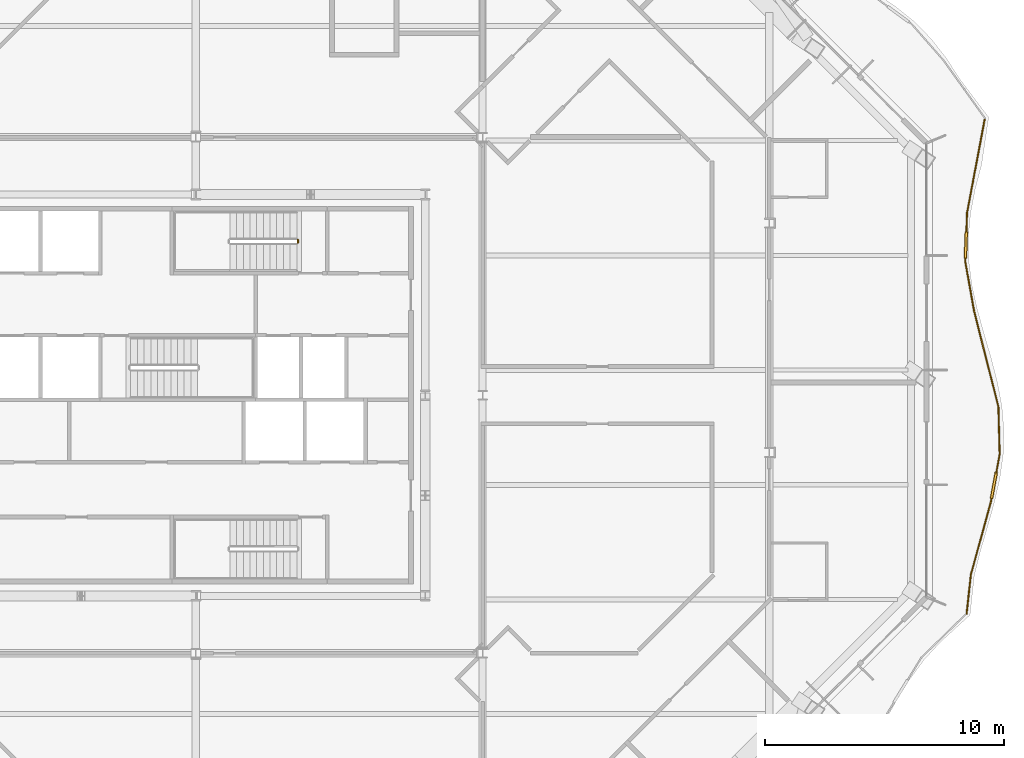
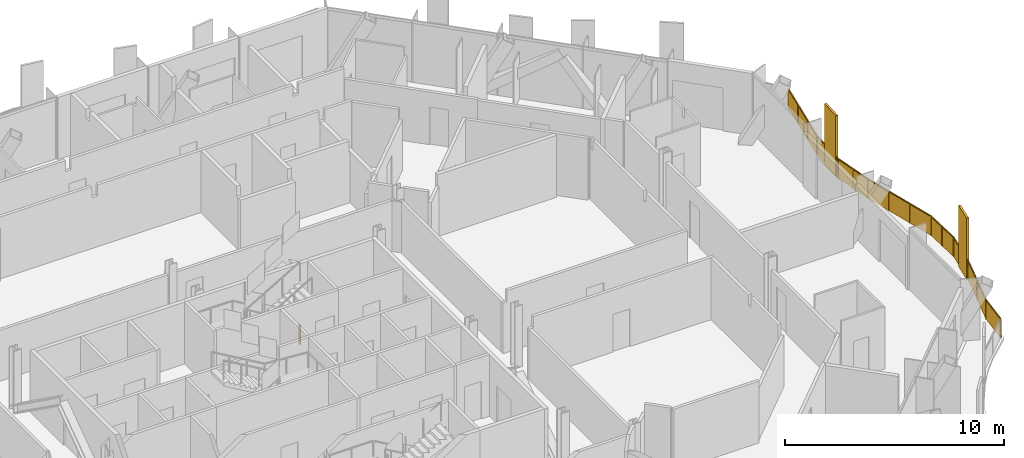
# One storey, part 18 of 21: 2 railings.
"""IFC4 building model written with IfcOpenShell, lengths in metres."""

from ifc_helpers import new_model, si_unit, direction, frame, origin, origin_2d, place, context, subcontext, project, spatial, polyline, rectangle, outline, extrude, material, type_object, element, save


model = new_model("IFC4")

# Units and contexts
model_context = context("Model", 3, precision=1e-05, world=origin(), true_north=direction((0.0, 1.0)))
body_context = subcontext(model_context, "Body", "Model", "MODEL_VIEW")
ifc_project = project(units=[si_unit("LENGTHUNIT", "METRE"), si_unit("AREAUNIT", "SQUARE_METRE"), si_unit("VOLUMEUNIT", "CUBIC_METRE"), si_unit("PLANEANGLEUNIT", "RADIAN"), si_unit("MASSUNIT", "GRAM", prefix="KILO")], contexts=[model_context])

# Site, building, storey
site_placement = place(None, origin())
site = spatial("IfcSite", under=ifc_project, at=site_placement, CompositionType="ELEMENT")
building_placement = place(site_placement, origin())
building = spatial("IfcBuilding", under=site, at=building_placement, Name="Cairn Pilgrim Tower", CompositionType="ELEMENT")
storey_placement = place(building_placement, frame((0.0, 0.0, 183.0)))
storey = spatial("IfcBuildingStorey", under=building, at=storey_placement, Name="L46", CompositionType="ELEMENT", Elevation=183.0)

# Railings
ifc_material_1 = material(Name="Bronze anodised aluminium rail, posts and fin screens with laminated glass infill", Category="aluminium")
railing_type_1 = type_object("IfcRailingType", Name="BALCONY GUARD WITH FIN SCREENS", PredefinedType="GUARDRAIL", material=ifc_material_1)
railing_1_placement = place(storey_placement, frame((39.458740234375, -6.7333984375, 0.0)))
element("IfcRailing", 1, at=railing_1_placement, inside=storey, type_object=railing_type_1, Name="Balcony guard BGF-3 with fin screens", PredefinedType="GUARDRAIL", context=body_context, shape_type="SweptSolid", body=[
    extrude(rectangle(XDim=0.050048828125, YDim=0.050048828125, at=origin_2d()), frame((0.0, 0.0, 1.0751953125), z_axis=(0.107737678594, 0.994179356359, 0.0), x_axis=(-0.994179356359, 0.107737678594, 0.0)), (0.0, 0.0, 1.0), 1.631591796875),
    extrude(rectangle(XDim=0.050048828125, YDim=0.050048828125, at=origin_2d()), frame((0.17578125, 1.6220703125, 1.0751953125), z_axis=(0.265516722515, 0.964106254551, 0.0), x_axis=(-0.964106254551, 0.265516722515, 0.0)), (0.0, 0.0, 1.0), 3.150146484375),
    extrude(rectangle(XDim=1.10009765625, YDim=0.110107421875, at=origin_2d()), frame((1.139404296875, 5.34765625, 0.0), z_axis=(0.0, 0.0, 1.0), x_axis=(0.181706497485, 0.983352809917, 0.0)), (0.0, 0.0, 1.0), 3.39990234375),
    extrude(rectangle(XDim=0.050048828125, YDim=0.050048828125, at=origin_2d()), frame((1.01220703125, 4.6591796875, 1.0751953125), z_axis=(0.181706497485, 0.983352809917, 0.0), x_axis=(-0.983352809917, 0.181706497485, 0.0)), (0.0, 0.0, 1.0), 0.150146484375),
    extrude(rectangle(XDim=0.050048828125, YDim=0.050048828125, at=origin_2d()), frame((1.2392578125, 5.888427734375, 1.0751953125), z_axis=(0.181706497485, 0.983352809917, 0.0), x_axis=(-0.983352809917, 0.181706497485, 0.0)), (0.0, 0.0, 1.0), 0.78271484375),
    extrude(rectangle(XDim=0.050048828125, YDim=0.050048828125, at=origin_2d()), frame((1.381591796875, 6.658203125, 1.0751953125), z_axis=(-0.026752022825, 0.999642100591, 0.0), x_axis=(-0.999642100591, -0.026752022825, 0.0)), (0.0, 0.0, 1.0), 1.989501953125),
    extrude(rectangle(XDim=0.050048828125, YDim=0.050048828125, at=origin_2d()), frame((1.328369140625, 8.64697265625, 1.0751953125), z_axis=(-0.245959521687, 0.96928010074, 0.0), x_axis=(-0.96928010074, -0.245959521687, 0.0)), (0.0, 0.0, 1.0), 4.158935546875),
    extrude(rectangle(XDim=0.050048828125, YDim=0.050048828125, at=origin_2d()), frame((0.305419921875, 12.67822265625, 1.0751953125), z_axis=(-0.174812712861, 0.984601703951, 0.0), x_axis=(-0.984601703951, -0.174812712861, 0.0)), (0.0, 0.0, 1.0), 2.073974609375),
    extrude(rectangle(XDim=1.10009765625, YDim=0.110107421875, at=origin_2d()), frame((-0.03173828125, 15.419921875, 0.0), z_axis=(0.0, 0.0, 1.0), x_axis=(0.036328804147, 0.999339891123, 0.0)), (0.0, 0.0, 1.0), 3.39990234375),
    extrude(rectangle(XDim=0.050048828125, YDim=0.050048828125, at=origin_2d()), frame((-0.05712890625, 14.72021484375, 1.0751953125), z_axis=(0.036328804147, 0.999339891123, 0.0), x_axis=(-0.999339891123, 0.036328804147, 0.0)), (0.0, 0.0, 1.0), 0.150146484375),
    extrude(rectangle(XDim=0.050048828125, YDim=0.050048828125, at=origin_2d()), frame((-0.01171875, 15.969482421875, 1.0751953125), z_axis=(0.036328804147, 0.999339891123, 0.0), x_axis=(-0.999339891123, 0.036328804147, 0.0)), (0.0, 0.0, 1.0), 0.799560546875),
    extrude(rectangle(XDim=0.050048828125, YDim=0.050048828125, at=origin_2d()), frame((0.017333984375, 16.7685546875, 1.0751953125), z_axis=(0.185485249806, 0.982647048591, 0.0), x_axis=(-0.982647048591, 0.185485249806, 0.0)), (0.0, 0.0, 1.0), 3.9658203125),
    extrude(rectangle(XDim=0.050048828125, YDim=0.050048828125, at=origin_2d()), origin(), (0.0, 0.0, 1.0), 1.050048828125),
    extrude(rectangle(XDim=0.050048828125, YDim=0.050048828125, at=origin_2d()), frame((0.17578125, 1.6220703125, 0.0)), (0.0, 0.0, 1.0), 1.050048828125),
    extrude(rectangle(XDim=0.050048828125, YDim=0.050048828125, at=origin_2d()), frame((0.593994140625, 3.140625, 0.0)), (0.0, 0.0, 1.0), 1.050048828125),
    extrude(rectangle(XDim=0.050048828125, YDim=0.050048828125, at=origin_2d()), frame((1.01220703125, 4.6591796875, 0.0)), (0.0, 0.0, 1.0), 1.050048828125),
    extrude(rectangle(XDim=0.050048828125, YDim=0.050048828125, at=origin_2d()), frame((1.034912109375, 4.7822265625, 0.0)), (0.0, 0.0, 1.0), 1.050048828125),
    extrude(rectangle(XDim=0.050048828125, YDim=0.050048828125, at=origin_2d()), frame((1.243896484375, 5.9130859375, 0.0)), (0.0, 0.0, 1.0), 1.050048828125),
    extrude(rectangle(XDim=0.050048828125, YDim=0.050048828125, at=origin_2d()), frame((1.381591796875, 6.658203125, 0.0)), (0.0, 0.0, 1.0), 1.050048828125),
    extrude(rectangle(XDim=0.050048828125, YDim=0.050048828125, at=origin_2d()), frame((1.35498046875, 7.652587890625, 0.0)), (0.0, 0.0, 1.0), 1.050048828125),
    extrude(rectangle(XDim=0.050048828125, YDim=0.050048828125, at=origin_2d()), frame((1.328369140625, 8.64697265625, 0.0)), (0.0, 0.0, 1.0), 1.050048828125),
    extrude(rectangle(XDim=0.050048828125, YDim=0.050048828125, at=origin_2d()), frame((0.9873046875, 9.99072265625, 0.0)), (0.0, 0.0, 1.0), 1.050048828125),
    extrude(rectangle(XDim=0.050048828125, YDim=0.050048828125, at=origin_2d()), frame((0.646484375, 11.33447265625, 0.0)), (0.0, 0.0, 1.0), 1.050048828125),
    extrude(rectangle(XDim=0.050048828125, YDim=0.050048828125, at=origin_2d()), frame((0.305419921875, 12.67822265625, 0.0)), (0.0, 0.0, 1.0), 1.050048828125),
    extrude(rectangle(XDim=0.050048828125, YDim=0.050048828125, at=origin_2d()), frame((0.1240234375, 13.69921875, 0.0)), (0.0, 0.0, 1.0), 1.050048828125),
    extrude(rectangle(XDim=0.050048828125, YDim=0.050048828125, at=origin_2d()), frame((-0.05712890625, 14.72021484375, 0.0)), (0.0, 0.0, 1.0), 1.050048828125),
    extrude(rectangle(XDim=0.050048828125, YDim=0.050048828125, at=origin_2d()), frame((-0.052490234375, 14.84521484375, 0.0)), (0.0, 0.0, 1.0), 1.050048828125),
    extrude(rectangle(XDim=0.050048828125, YDim=0.050048828125, at=origin_2d()), frame((-0.0107421875, 15.99462890625, 0.0)), (0.0, 0.0, 1.0), 1.050048828125),
    extrude(rectangle(XDim=0.050048828125, YDim=0.050048828125, at=origin_2d()), frame((0.017333984375, 16.7685546875, 0.0)), (0.0, 0.0, 1.0), 1.050048828125),
    extrude(rectangle(XDim=0.050048828125, YDim=0.050048828125, at=origin_2d()), frame((0.262451171875, 18.067626953125, 0.0)), (0.0, 0.0, 1.0), 1.050048828125),
    extrude(rectangle(XDim=0.050048828125, YDim=0.050048828125, at=origin_2d()), frame((0.5078125, 19.366455078125, 0.0)), (0.0, 0.0, 1.0), 1.050048828125),
    extrude(rectangle(XDim=0.050048828125, YDim=0.050048828125, at=origin_2d()), frame((0.7529296875, 20.66552734375, 0.0)), (0.0, 0.0, 1.0), 1.050048828125),
    extrude(outline(polyline([(0.02490234375, 0.0), (1.6064453125, 0.0), (1.6064453125, 1.050048828125), (0.02490234375, 1.050048828125), (0.02490234375, 0.0)])), frame((-0.005859375, 0.000732421875, 0.0), z_axis=(0.994179356359, -0.107737678594, 0.0), x_axis=(0.107737678594, 0.994179356359, 0.0)), (0.0, 0.0, 1.0), 0.011962890625),
    extrude(outline(polyline([(0.02490234375, 0.0), (1.550048828125, 0.0), (1.550048828125, 1.050048828125), (0.02490234375, 1.050048828125), (0.02490234375, 0.0)])), frame((0.169921875, 1.623779296875, 0.0), z_axis=(0.964106254551, -0.265516722515, 0.0), x_axis=(0.265516722515, 0.964106254551, 0.0)), (0.0, 0.0, 1.0), 0.011962890625),
    extrude(outline(polyline([(0.02490234375, 0.0), (1.550048828125, 0.0), (1.550048828125, 1.050048828125), (0.02490234375, 1.050048828125), (0.02490234375, 0.0)])), frame((0.588134765625, 3.142333984375, 0.0), z_axis=(0.964106254551, -0.265516722515, 0.0), x_axis=(0.265516722515, 0.964106254551, 0.0)), (0.0, 0.0, 1.0), 0.011962890625),
    extrude(outline(polyline([(0.02490234375, 0.0), (0.10009765625, 0.0), (0.10009765625, 1.050048828125), (0.02490234375, 1.050048828125), (0.02490234375, 0.0)])), frame((1.00634765625, 4.66015625, 0.0), z_axis=(0.983352809917, -0.181706497485, 0.0), x_axis=(0.181706497485, 0.983352809917, 0.0)), (0.0, 0.0, 1.0), 0.011962890625),
    extrude(outline(polyline([(0.02490234375, 0.0), (0.732666015625, 0.0), (0.732666015625, 1.050048828125), (0.02490234375, 1.050048828125), (0.02490234375, 0.0)])), frame((1.238037109375, 5.9140625, 0.0), z_axis=(0.983352809917, -0.181706497485, 0.0), x_axis=(0.181706497485, 0.983352809917, 0.0)), (0.0, 0.0, 1.0), 0.011962890625),
    extrude(outline(polyline([(0.02490234375, 0.0), (0.9697265625, 0.0), (0.9697265625, 1.050048828125), (0.02490234375, 1.050048828125), (0.02490234375, 0.0)])), frame((1.375732421875, 6.657958984375, 0.0), z_axis=(0.999642100591, 0.026752022825, 0.0), x_axis=(-0.026752022825, 0.999642100591, 0.0)), (0.0, 0.0, 1.0), 0.011962890625),
    extrude(outline(polyline([(0.02490234375, 0.0), (0.9697265625, 0.0), (0.9697265625, 1.050048828125), (0.02490234375, 1.050048828125), (0.02490234375, 0.0)])), frame((1.34912109375, 7.65234375, 0.0), z_axis=(0.999642100591, 0.026752022825, 0.0), x_axis=(-0.026752022825, 0.999642100591, 0.0)), (0.0, 0.0, 1.0), 0.011962890625),
    extrude(outline(polyline([(0.02490234375, 0.0), (1.361328125, 0.0), (1.361328125, 1.050048828125), (0.02490234375, 1.050048828125), (0.02490234375, 0.0)])), frame((1.322509765625, 8.6455078125, 0.0), z_axis=(0.96928010074, 0.245959521687, 0.0), x_axis=(-0.245959521687, 0.96928010074, 0.0)), (0.0, 0.0, 1.0), 0.011962890625),
    extrude(outline(polyline([(0.02490234375, 0.0), (1.361328125, 0.0), (1.361328125, 1.050048828125), (0.02490234375, 1.050048828125), (0.02490234375, 0.0)])), frame((0.981689453125, 9.9892578125, 0.0), z_axis=(0.96928010074, 0.245959521687, 0.0), x_axis=(-0.245959521687, 0.96928010074, 0.0)), (0.0, 0.0, 1.0), 0.011962890625),
    extrude(outline(polyline([(0.02490234375, 0.0), (1.361328125, 0.0), (1.361328125, 1.050048828125), (0.02490234375, 1.050048828125), (0.02490234375, 0.0)])), frame((0.640625, 11.3330078125, 0.0), z_axis=(0.96928010074, 0.245959521687, 0.0), x_axis=(-0.245959521687, 0.96928010074, 0.0)), (0.0, 0.0, 1.0), 0.011962890625),
    extrude(outline(polyline([(0.02490234375, 0.0), (1.011962890625, 0.0), (1.011962890625, 1.050048828125), (0.02490234375, 1.050048828125), (0.02490234375, 0.0)])), frame((0.299560546875, 12.67724609375, 0.0), z_axis=(0.984601703951, 0.174812712861, 0.0), x_axis=(-0.174812712861, 0.984601703951, 0.0)), (0.0, 0.0, 1.0), 0.011962890625),
    extrude(outline(polyline([(0.02490234375, 0.0), (1.011962890625, 0.0), (1.011962890625, 1.050048828125), (0.02490234375, 1.050048828125), (0.02490234375, 0.0)])), frame((0.1181640625, 13.6982421875, 0.0), z_axis=(0.984601703951, 0.174812712861, 0.0), x_axis=(-0.174812712861, 0.984601703951, 0.0)), (0.0, 0.0, 1.0), 0.011962890625),
    extrude(outline(polyline([(0.02490234375, 0.0), (0.10009765625, 0.0), (0.10009765625, 1.050048828125), (0.02490234375, 1.050048828125), (0.02490234375, 0.0)])), frame((-0.06298828125, 14.720458984375, 0.0), z_axis=(0.999339891123, -0.036328804147, 0.0), x_axis=(0.036328804147, 0.999339891123, 0.0)), (0.0, 0.0, 1.0), 0.011962890625),
    extrude(outline(polyline([(0.02490234375, 0.0), (0.74951171875, 0.0), (0.74951171875, 1.050048828125), (0.02490234375, 1.050048828125), (0.02490234375, 0.0)])), frame((-0.016845703125, 15.994873046875, 0.0), z_axis=(0.999339891123, -0.036328804147, 0.0), x_axis=(0.036328804147, 0.999339891123, 0.0)), (0.0, 0.0, 1.0), 0.011962890625),
    extrude(outline(polyline([(0.02490234375, 0.0), (1.296875, 0.0), (1.296875, 1.050048828125), (0.02490234375, 1.050048828125), (0.02490234375, 0.0)])), frame((0.011474609375, 16.769775390625, 0.0), z_axis=(0.982647048591, -0.185485249806, 0.0), x_axis=(0.185485249806, 0.982647048591, 0.0)), (0.0, 0.0, 1.0), 0.011962890625),
    extrude(outline(polyline([(0.02490234375, 0.0), (1.296875, 0.0), (1.296875, 1.050048828125), (0.02490234375, 1.050048828125), (0.02490234375, 0.0)])), frame((0.256591796875, 18.068603515625, 0.0), z_axis=(0.982647048591, -0.185485249806, 0.0), x_axis=(0.185485249806, 0.982647048591, 0.0)), (0.0, 0.0, 1.0), 0.011962890625),
    extrude(outline(polyline([(0.02490234375, 0.0), (1.296875, 0.0), (1.296875, 1.050048828125), (0.02490234375, 1.050048828125), (0.02490234375, 0.0)])), frame((0.501953125, 19.36767578125, 0.0), z_axis=(0.982647048591, -0.185485249806, 0.0), x_axis=(0.185485249806, 0.982647048591, 0.0)), (0.0, 0.0, 1.0), 0.011962890625),
])
ifc_material_2 = material(Name="Painted steel", Category="steel")
railing_type_2 = type_object("IfcRailingType", Name="STAIR GUARD 1100", PredefinedType="GUARDRAIL", material=ifc_material_2)
railing_2_placement = place(storey_placement, frame((11.47509765625, 8.89990234375, 0.0)))
element("IfcRailing", 2, at=railing_2_placement, inside=storey, type_object=railing_type_2, Name="L46 ST-C stair guard 2", PredefinedType="GUARDRAIL", context=body_context, shape_type="SweptSolid", body=[
    extrude(rectangle(XDim=0.048095703125, YDim=0.048095703125, at=origin_2d()), frame((0.0, 0.0, 1.076171875), z_axis=(0.0, -1.0, 0.0), x_axis=(1.0, 0.0, 0.0)), (0.0, 0.0, 1.0), 0.125),
    extrude(rectangle(XDim=0.0419921875, YDim=0.0419921875, at=origin_2d()), origin(), (0.0, 0.0, 1.0), 1.052001953125),
    extrude(rectangle(XDim=0.0419921875, YDim=0.0419921875, at=origin_2d()), frame((0.0, -0.125, 0.0)), (0.0, 0.0, 1.0), 1.052001953125),
    extrude(outline(polyline([(0.02099609375, 0.0), (0.10400390625, 0.0), (0.10400390625, 1.052001953125), (0.02099609375, 1.052001953125), (0.02099609375, 0.0)])), frame((0.005859375, 0.0, 0.0), z_axis=(-1.0, 0.0, 0.0), x_axis=(0.0, -1.0, 0.0)), (0.0, 0.0, 1.0), 0.011962890625),
])

save(model, "model.ifc")
